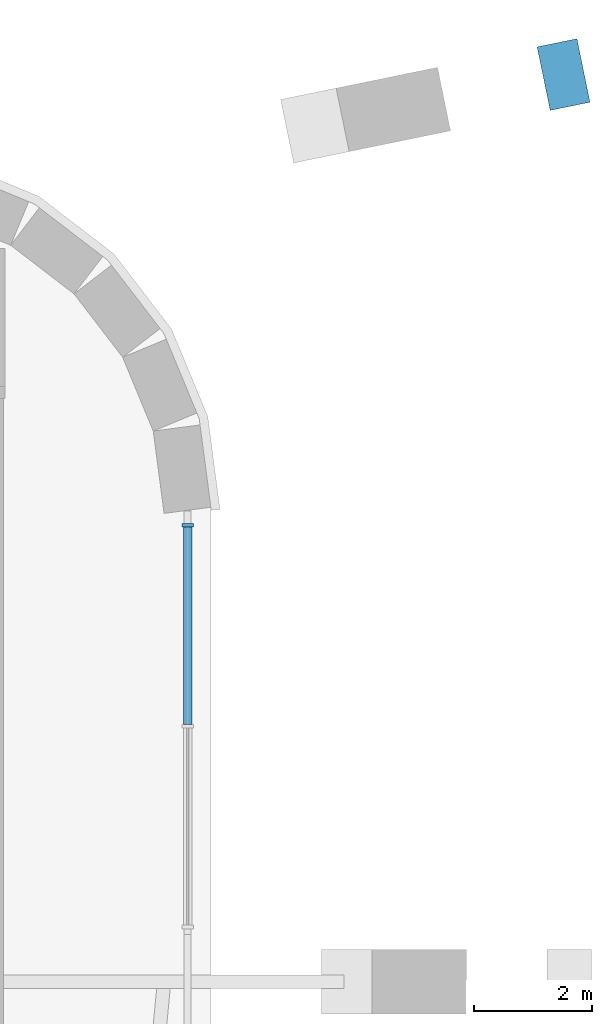
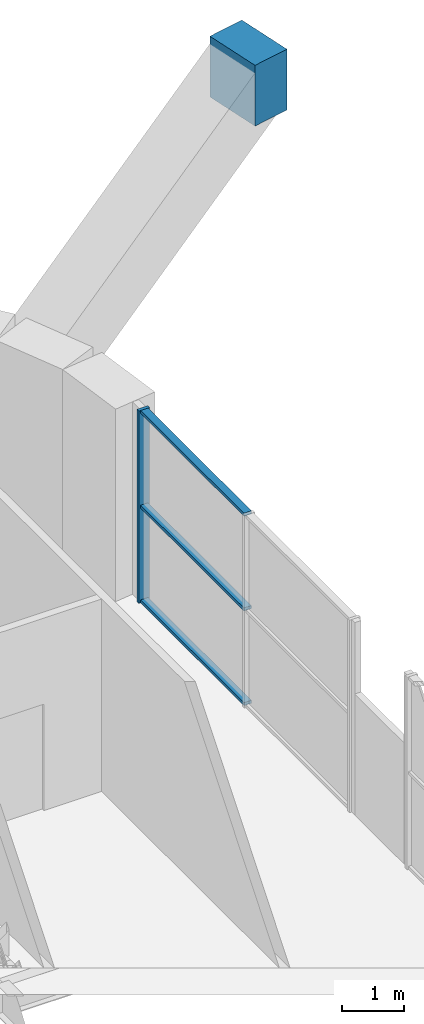
# One storey, part 10 of 27: 4 members, 1 beam, 1 element without a shape of its own.
"""IFC4 building model written with IfcOpenShell, lengths in metres."""

from ifc_helpers import new_model, si_unit, direction, frame, origin, origin_2d, place, context, subcontext, project, spatial, rectangle, extrude, material, material_profile, profile_set, type_object, element, aggregate, save


model = new_model("IFC4")

# Units and contexts
model_context = context("Model", 3, precision=1e-05, world=origin(), true_north=direction((0.0, 1.0)))
body_context = subcontext(model_context, "Body", "Model", "MODEL_VIEW")
ifc_project = project(units=[si_unit("LENGTHUNIT", "METRE"), si_unit("AREAUNIT", "SQUARE_METRE"), si_unit("VOLUMEUNIT", "CUBIC_METRE"), si_unit("PLANEANGLEUNIT", "RADIAN"), si_unit("MASSUNIT", "GRAM", prefix="KILO")], contexts=[model_context])

# Site, building, storey
site_placement = place(None, origin())
site = spatial("IfcSite", under=ifc_project, at=site_placement, CompositionType="ELEMENT")
building_placement = place(site_placement, origin())
building = spatial("IfcBuilding", under=site, at=building_placement, Name="Zellij Exchange Tower", CompositionType="ELEMENT")
storey_placement = place(building_placement, frame((0.0, 0.0, 104.5)))
storey = spatial("IfcBuildingStorey", under=building, at=storey_placement, Name="L22", CompositionType="ELEMENT", Elevation=104.5)

# Curtain wall, members
ifc_material_1 = material(Name="Aluminium frame, clear insulating glass", Category="aluminium")
curtain_wall_type = type_object("IfcCurtainWallType", Name="ENV-CW2 Outrigger-storey glazing", PredefinedType="NOTDEFINED", material=ifc_material_1)
curtain_wall_placement = place(storey_placement, origin())
curtain_wall = element("IfcCurtainWall", 1, at=curtain_wall_placement, inside=storey, type_object=curtain_wall_type, Name="cw.L22.07b.b", PredefinedType="NOTDEFINED")
ifc_material_2 = material(Name="Aluminium", Category="aluminium")
ifc_material_profile_1 = material_profile(ifc_material_2, rectangle(XDim=0.06005859375, YDim=0.199951171875, at=origin_2d()), Name="AL 60x200")
ifc_profile_set_1 = profile_set([ifc_material_profile_1], Name="Aluminium")
member_type_1 = type_object("IfcMemberType", Name="ENV-CW2M Mullion 60x200", PredefinedType="MULLION", material=ifc_profile_set_1)
member_1_placement = place(storey_placement, frame((34.10009765625, 12.243896484375, 0.0), z_axis=(0.0, 0.0, 1.0), x_axis=(0.0, 1.0, 0.0)))
member_1 = element("IfcMember", 2, at=member_1_placement, type_object=member_type_1, Name="CW2 mullion 3", PredefinedType="MULLION", context=body_context, shape_type="SweptSolid", body=[
    extrude(rectangle(XDim=0.06005859375, YDim=0.199951171875, at=origin_2d()), origin(), (0.0, 0.0, 1.0), 3.800048828125),
])
ifc_material_profile_2 = material_profile(ifc_material_2, rectangle(XDim=0.139892578125, YDim=0.06005859375, at=origin_2d()), Name="AL 140x60")
ifc_profile_set_2 = profile_set([ifc_material_profile_2], Name="Aluminium")
member_type_2 = type_object("IfcMemberType", Name="ENV-CW2T Transom 140x60", PredefinedType="USERDEFINED", material=ifc_profile_set_2)
member_2_placement = place(storey_placement, frame((34.10009765625, 8.866943359375, 0.030029296875), z_axis=(0.0, 1.0, 0.0), x_axis=(-1.0, 0.0, 0.0)))
member_2 = element("IfcMember", 3, at=member_2_placement, type_object=member_type_2, Name="CW2 transom 2.1", ObjectType="TRANSOM", PredefinedType="USERDEFINED", context=body_context, shape_type="SweptSolid", body=[
    extrude(rectangle(XDim=0.139892578125, YDim=0.06005859375, at=origin_2d()), origin(), (0.0, 0.0, 1.0), 3.346923828125),
])
member_3_placement = place(storey_placement, frame((34.10009765625, 8.866943359375, 1.89990234375), z_axis=(0.0, 1.0, 0.0), x_axis=(-1.0, 0.0, 0.0)))
member_3 = element("IfcMember", 4, at=member_3_placement, type_object=member_type_2, Name="CW2 transom 2.2", ObjectType="TRANSOM", PredefinedType="USERDEFINED", context=body_context, shape_type="SweptSolid", body=[
    extrude(rectangle(XDim=0.139892578125, YDim=0.06005859375, at=origin_2d()), origin(), (0.0, 0.0, 1.0), 3.346923828125),
])
member_4_placement = place(storey_placement, frame((34.10009765625, 8.866943359375, 3.77001953125), z_axis=(0.0, 1.0, 0.0), x_axis=(-1.0, 0.0, 0.0)))
member_4 = element("IfcMember", 5, at=member_4_placement, type_object=member_type_2, Name="CW2 transom 2.3", ObjectType="TRANSOM", PredefinedType="USERDEFINED", context=body_context, shape_type="SweptSolid", body=[
    extrude(rectangle(XDim=0.139892578125, YDim=0.06005859375, at=origin_2d()), origin(), (0.0, 0.0, 1.0), 3.346923828125),
])
aggregate(curtain_wall, [member_1, member_2, member_3, member_4])

# Beam
ifc_material_3 = material(Name="Concrete C70/85", Category="concrete")
ifc_material_profile_3 = material_profile(ifc_material_3, rectangle(XDim=1.10009765625, YDim=1.199951171875, at=origin_2d()), Name="STR-END BLOCK KNUCKLE RC1100x1200 C70/85")
ifc_profile_set_3 = profile_set([ifc_material_profile_3], Name="Concrete C70/85")
beam_type = type_object("IfcBeamType", Name="STR-END BLOCK KNUCKLE RC1100x1200 C70/85", PredefinedType="BEAM", material=ifc_profile_set_3)
beam_placement = place(storey_placement, frame((40.139892578125, 19.823486328125, 3.550048828125), z_axis=(0.979559778966, 0.201153273482, 0.0), x_axis=(-0.201153273482, 0.979559778966, 0.0)))
element("IfcBeam", 6, at=beam_placement, inside=storey, type_object=beam_type, Name="EK2", PredefinedType="BEAM", context=body_context, shape_type="SweptSolid", body=[
    extrude(rectangle(XDim=1.10009765625, YDim=1.199951171875, at=origin_2d()), origin(), (0.0, 0.0, 1.0), 0.689453125),
])

save(model, "model.ifc")
